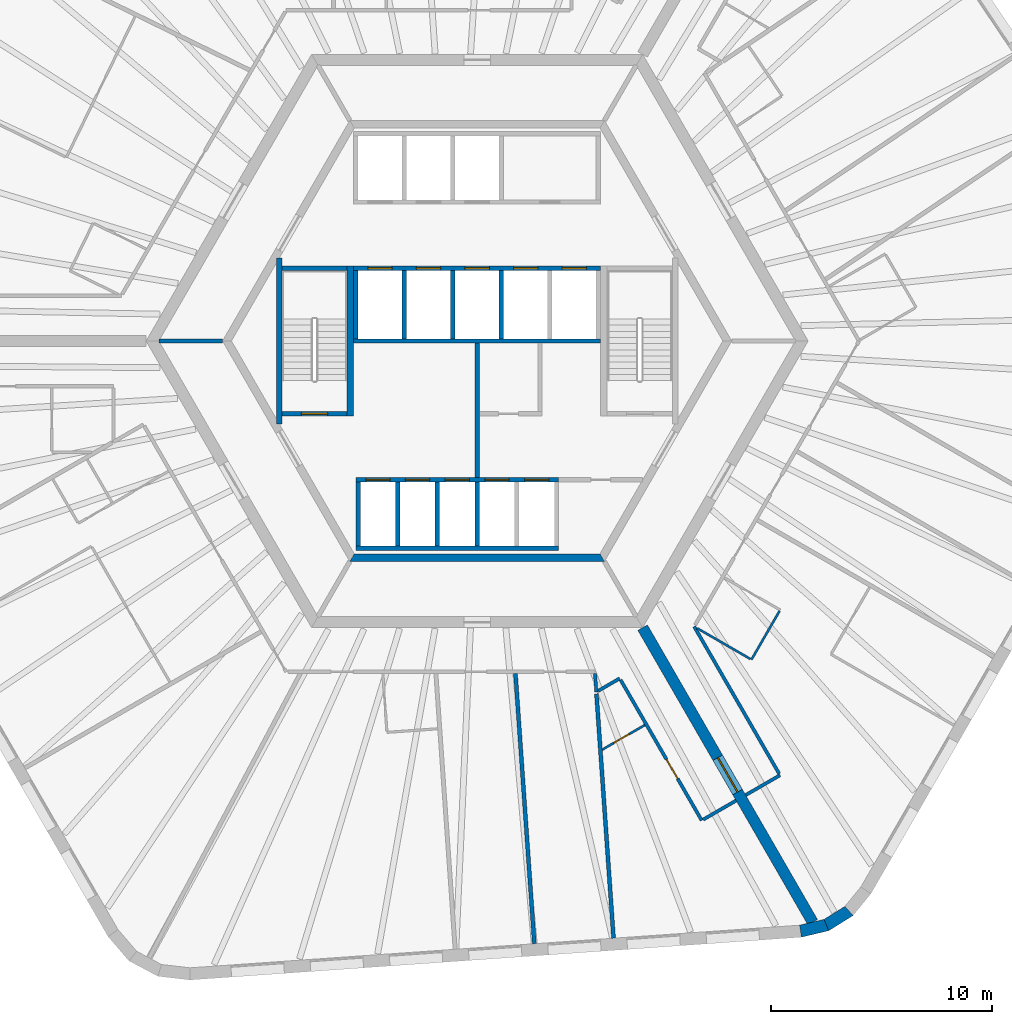
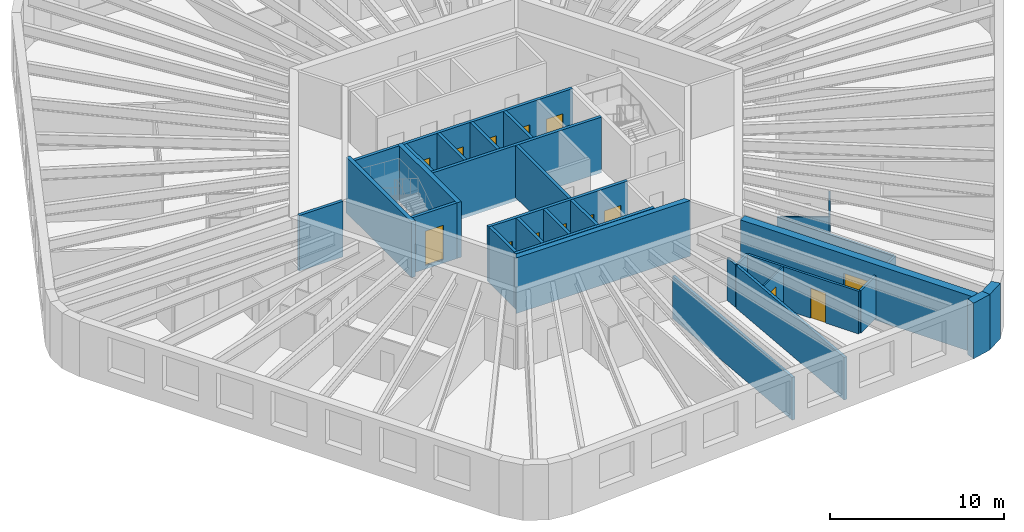
# One storey, part 4 of 10: 33 walls, 14 doors, 14 openings.
"""IFC4 building model written with IfcOpenShell, lengths in metres."""

from ifc_helpers import new_model, si_unit, direction, frame, frame_2d, origin, place, context, subcontext, project, spatial, polyline, rectangle, outline, extrude, material, layer, layer_set, type_object, element, fill, save


model = new_model("IFC4")

# Units and contexts
model_context = context("Model", 3, precision=1e-05, world=origin(), true_north=direction((0.0, 1.0)))
body_context = subcontext(model_context, "Body", "Model", "MODEL_VIEW")
ifc_project = project(units=[si_unit("LENGTHUNIT", "METRE"), si_unit("AREAUNIT", "SQUARE_METRE"), si_unit("VOLUMEUNIT", "CUBIC_METRE"), si_unit("PLANEANGLEUNIT", "RADIAN"), si_unit("MASSUNIT", "GRAM", prefix="KILO")], contexts=[model_context])

# Site, building, storey
site_placement = place(None, origin())
site = spatial("IfcSite", under=ifc_project, at=site_placement, CompositionType="ELEMENT")
building_placement = place(site_placement, origin())
building = spatial("IfcBuilding", under=site, at=building_placement, Name="Tarnside Tower", CompositionType="ELEMENT")
storey_placement = place(building_placement, frame((0.0, 0.0, 199.5)))
storey = spatial("IfcBuildingStorey", under=building, at=storey_placement, Name="L47", CompositionType="ELEMENT", Elevation=199.5)

# Wall, opening, door
ifc_material_1 = material(Name="Gypsum board partition on steel studs", Category="steel")
ifc_layer_1 = layer(ifc_material_1, 0.10009765625)
ifc_layer_set_1 = layer_set([ifc_layer_1], Name="Bathroom wall 100")
wall_type_1 = type_object("IfcWallType", Name="Bathroom wall 100", PredefinedType="PARTITIONING", material=ifc_layer_set_1)
wall_1_placement = place(storey_placement, frame((7.603271484375, -17.419189453125, 0.0), z_axis=(0.0, 0.0, 1.0), x_axis=(-0.866064858854, -0.499931655587, 0.0)))
wall_1 = element("IfcWall", 1, at=wall_1_placement, inside=storey, type_object=wall_type_1, Name="Bathroom wall 15093", PredefinedType="PARTITIONING", context=body_context, shape_type="SweptSolid", body=[
    extrude(rectangle(XDim=2.222412109375, YDim=0.10009765625, at=frame_2d((1.111328125, 0.0))), origin(), (0.0, 0.0, 1.0), 2.98779296875),
])
opening_1_placement = place(wall_1_placement, frame((0.824951171875, 0.0, 0.0)))
opening_1 = element("IfcOpeningElement", 2, at=opening_1_placement, cuts=wall_1, Name="Opening D-B1", PredefinedType="OPENING", context=body_context, shape_type="SweptSolid", body=[
    extrude(rectangle(XDim=0.800048828125, YDim=2.10009765625, at=frame_2d((0.39990234375, 1.050048828125))), frame((0.0, 0.06005859375, 0.0), z_axis=(0.0, -1.0, 0.0), x_axis=(1.0, 0.0, 0.0)), (0.0, 0.0, 1.0), 0.1201171875),
])
ifc_material_2 = material(Name="Timber door leaf", Category="wood")
door_type_1 = type_object("IfcDoorType", Name="Bathroom door 800", OperationType="NOTDEFINED", PredefinedType="DOOR", material=ifc_material_2)
door_1_placement = place(opening_1_placement, origin())
door_1 = element("IfcDoor", 3, at=door_1_placement, inside=storey, type_object=door_type_1, Name="Bathroom door 15024", OperationType="SINGLE_SWING_LEFT", OverallHeight=2.10009765625, OverallWidth=0.800048828125, PredefinedType="DOOR", context=body_context, shape_type="SweptSolid", body=[
    extrude(rectangle(XDim=0.800048828125, YDim=2.10009765625, at=frame_2d((0.39990234375, 1.050048828125))), frame((0.0, 0.02490234375, 0.0), z_axis=(0.0, -1.0, 0.0), x_axis=(1.0, 0.0, 0.0)), (0.0, 0.0, 1.0), 0.050048828125),
])
fill(opening_1, door_1)

# Walls
wall_2_placement = place(storey_placement, frame((13.716796875, -12.24169921875, 0.0), z_axis=(0.0, 0.0, 1.0), x_axis=(-0.499990435942, -0.866030925526, 0.0)))
element("IfcWall", 4, at=wall_2_placement, inside=storey, type_object=wall_type_1, Name="Bathroom wall 15095", PredefinedType="PARTITIONING", context=body_context, shape_type="SweptSolid", body=[
    extrude(rectangle(XDim=2.5498046875, YDim=0.10009765625, at=frame_2d((1.27490234375, 0.0))), origin(), (0.0, 0.0, 1.0), 2.98779296875),
])
wall_3_placement = place(storey_placement, frame((12.398681640625, -14.425048828125, 0.0), z_axis=(0.0, 0.0, 1.0), x_axis=(-0.866018616679, 0.500011755427, 0.0)))
element("IfcWall", 5, at=wall_3_placement, inside=storey, type_object=wall_type_1, Name="Bathroom wall 15096", PredefinedType="PARTITIONING", context=body_context, shape_type="SweptSolid", body=[
    extrude(rectangle(XDim=2.80029296875, YDim=0.10009765625, at=frame_2d((1.400146484375, 0.0))), origin(), (0.0, 0.0, 1.0), 2.98779296875),
])
ifc_material_3 = material(Name="Concrete C50/60", Category="concrete")
ifc_layer_2 = layer(ifc_material_3, 0.35009765625)
ifc_layer_set_2 = layer_set([ifc_layer_2], Name="Core block wall 350 C50/60")
wall_type_2 = type_object("IfcWallType", Name="Core block wall 350 C50/60", PredefinedType="SHEAR", material=ifc_layer_set_2)
wall_4_placement = place(storey_placement, frame((-5.672607421875, -9.824951171875, -0.14990234375), z_axis=(0.0, 0.0, 1.0), x_axis=(1.0, 0.0, 0.0)))
element("IfcWall", 6, at=wall_4_placement, inside=storey, type_object=wall_type_2, Name="L47 core block wall face 4", PredefinedType="SHEAR", context=body_context, shape_type="SweptSolid", body=[
    extrude(outline(polyline([(-0.10107421875, -0.175048828125), (11.4462890625, -0.175048828125), (11.244140625, 0.175048828125), (0.10107421875, 0.175048828125), (-0.10107421875, -0.175048828125)])), origin(), (0.0, 0.0, 1.0), 3.89990234375),
])
ifc_material_4 = material(Name="Concrete C40/50", Category="concrete")
ifc_layer_3 = layer(ifc_material_4, 0.199951171875)
ifc_layer_set_3 = layer_set([ifc_layer_3], Name="Core room partition 200 C40/50")
wall_type_3 = type_object("IfcWallType", Name="Core room partition 200 C40/50", PredefinedType="PARTITIONING", material=ifc_layer_set_3)
wall_5_placement = place(storey_placement, frame((0.0, -6.199951171875, 0.0), z_axis=(0.0, 0.0, 1.0), x_axis=(0.0, 1.0, 0.0)))
element("IfcWall", 7, at=wall_5_placement, inside=storey, type_object=wall_type_3, Name="L47 core partition X0", PredefinedType="PARTITIONING", context=body_context, shape_type="SweptSolid", body=[
    extrude(rectangle(XDim=6.099853515625, YDim=0.199951171875, at=frame_2d((3.0498046875, 0.0))), origin(), (0.0, 0.0, 1.0), 3.64990234375),
])

# Wall, opening, door
ifc_material_5 = material(Name="Concrete C70/85", Category="concrete")
ifc_layer_4 = layer(ifc_material_5, 0.5)
ifc_layer_set_4 = layer_set([ifc_layer_4], Name="Core wall Z2 500 C70/85")
wall_type_4 = type_object("IfcWallType", Name="Core wall Z2 500 C70/85", PredefinedType="SHEAR", material=ifc_layer_set_4)
wall_6_placement = place(storey_placement, frame((7.505615234375, -13.0, -0.14990234375), z_axis=(0.0, 0.0, 1.0), x_axis=(0.499988271576, -0.866032175087, 0.0)))
wall_6 = element("IfcWall", 8, at=wall_6_placement, inside=storey, type_object=wall_type_4, Name="L47 spine wall 3", PredefinedType="SHEAR", context=body_context, shape_type="SweptSolid", body=[
    extrude(rectangle(XDim=15.423583984375, YDim=0.5, at=frame_2d((7.7119140625, 0.0))), origin(), (0.0, 0.0, 1.0), 3.89990234375),
])
opening_2_placement = place(wall_6_placement, frame((6.811767578125, 0.0, 0.14990234375)))
opening_2 = element("IfcOpeningElement", 9, at=opening_2_placement, cuts=wall_6, Name="Opening CD-SPN", PredefinedType="OPENING", context=body_context, shape_type="SweptSolid", body=[
    extrude(rectangle(XDim=1.800048828125, YDim=2.39990234375, at=frame_2d((0.89990234375, 1.199951171875))), frame((0.0, 0.260009765625, 0.0), z_axis=(0.0, -1.0, 0.0), x_axis=(1.0, 0.0, 0.0)), (0.0, 0.0, 1.0), 0.52001953125),
])
ifc_material_6 = material(Name="Steel fire door", Category="steel")
door_type_2 = type_object("IfcDoorType", Name="Spine passage double door FD60 1800x2400", OperationType="NOTDEFINED", PredefinedType="DOOR", material=ifc_material_6)
door_2_placement = place(opening_2_placement, origin())
door_2 = element("IfcDoor", 10, at=door_2_placement, inside=storey, type_object=door_type_2, Name="L47 spine passage door 3", OperationType="DOUBLE_DOOR_SINGLE_SWING", OverallHeight=2.39990234375, OverallWidth=1.800048828125, PredefinedType="DOOR", context=body_context, shape_type="SweptSolid", body=[
    extrude(rectangle(XDim=1.800048828125, YDim=2.39990234375, at=frame_2d((0.89990234375, 1.199951171875))), frame((0.0, 0.02490234375, 0.0), z_axis=(0.0, -1.0, 0.0), x_axis=(1.0, 0.0, 0.0)), (0.0, 0.0, 1.0), 0.050048828125),
])
fill(opening_2, door_2)

# Wall
ifc_layer_5 = layer(ifc_material_1, 0.14990234375)
ifc_layer_set_5 = layer_set([ifc_layer_5], Name="Corridor wall 150 EI 60")
wall_type_5 = type_object("IfcWallType", Name="Corridor wall 150 EI 60", PredefinedType="PARTITIONING", material=ifc_layer_set_5)
wall_7_placement = place(storey_placement, frame((5.3466796875, -15.074951171875, 0.0), z_axis=(0.0, 0.0, 1.0), x_axis=(0.069751684831, -0.997564385122, 0.0)))
element("IfcWall", 11, at=wall_7_placement, inside=storey, type_object=wall_type_5, Name="Corridor wall 15028", PredefinedType="PARTITIONING", context=body_context, shape_type="SweptSolid", body=[
    extrude(rectangle(XDim=0.846923828125, YDim=0.14990234375, at=frame_2d((0.42333984375, 0.0))), origin(), (0.0, 0.0, 1.0), 2.98779296875),
])

# Wall, opening, door
wall_8_placement = place(storey_placement, frame((6.505615234375, -15.3681640625, 0.0), z_axis=(0.0, 0.0, 1.0), x_axis=(0.499995202058, -0.86602817386, 0.0)))
wall_8 = element("IfcWall", 12, at=wall_8_placement, inside=storey, type_object=wall_type_5, Name="Corridor wall 15029", PredefinedType="PARTITIONING", context=body_context, shape_type="SweptSolid", body=[
    extrude(rectangle(XDim=7.36083984375, YDim=0.14990234375, at=frame_2d((3.680419921875, 0.0))), origin(), (0.0, 0.0, 1.0), 2.98779296875),
])
opening_3_placement = place(wall_8_placement, frame((4.16796875, 0.0, 0.0)))
opening_3 = element("IfcOpeningElement", 13, at=opening_3_placement, cuts=wall_8, Name="Opening D-E1", PredefinedType="OPENING", context=body_context, shape_type="SweptSolid", body=[
    extrude(rectangle(XDim=1.0, YDim=2.10009765625, at=frame_2d((0.5, 1.050048828125))), frame((0.0, 0.0849609375, 0.0), z_axis=(0.0, -1.0, 0.0), x_axis=(1.0, 0.0, 0.0)), (0.0, 0.0, 1.0), 0.169921875),
])
door_type_3 = type_object("IfcDoorType", Name="Unit entrance door 1000 FD30S", OperationType="NOTDEFINED", PredefinedType="DOOR", material=ifc_material_2)
door_3_placement = place(opening_3_placement, origin())
door_3 = element("IfcDoor", 14, at=door_3_placement, inside=storey, type_object=door_type_3, Name="Unit door 15023", OperationType="SINGLE_SWING_RIGHT", OverallHeight=2.10009765625, OverallWidth=1.0, PredefinedType="DOOR", context=body_context, shape_type="SweptSolid", body=[
    extrude(rectangle(XDim=1.0, YDim=2.10009765625, at=frame_2d((0.5, 1.050048828125))), frame((0.0, 0.02490234375, 0.0), z_axis=(0.0, -1.0, 0.0), x_axis=(1.0, 0.0, 0.0)), (0.0, 0.0, 1.0), 0.050048828125),
])
fill(opening_3, door_3)

# Walls
wall_9_placement = place(storey_placement, frame((10.2509765625, -21.705322265625, 0.0), z_axis=(0.0, 0.0, 1.0), x_axis=(0.866013532718, 0.500020560727, 0.0)))
element("IfcWall", 15, at=wall_9_placement, inside=storey, type_object=wall_type_5, Name="Corridor wall 15030", PredefinedType="PARTITIONING", context=body_context, shape_type="SweptSolid", body=[
    extrude(rectangle(XDim=1.72509765625, YDim=0.14990234375, at=frame_2d((0.862548828125, 0.0))), origin(), (0.0, 0.0, 1.0), 2.98779296875),
])
wall_10_placement = place(storey_placement, frame((5.477783203125, -15.875, 0.0), z_axis=(0.0, 0.0, 1.0), x_axis=(0.866000689289, 0.500042804318, 0.0)))
element("IfcWall", 16, at=wall_10_placement, inside=storey, type_object=wall_type_5, Name="Corridor wall 15031", PredefinedType="PARTITIONING", context=body_context, shape_type="SweptSolid", body=[
    extrude(rectangle(XDim=1.1435546875, YDim=0.14990234375, at=frame_2d((0.57177734375, 0.0))), origin(), (0.0, 0.0, 1.0), 2.98779296875),
])
wall_11_placement = place(storey_placement, frame((12.177978515625, -20.5927734375, 0.0), z_axis=(0.0, 0.0, 1.0), x_axis=(0.866047807691, 0.499961193289, 0.0)))
element("IfcWall", 17, at=wall_11_placement, inside=storey, type_object=wall_type_5, Name="Corridor wall 15033", PredefinedType="PARTITIONING", context=body_context, shape_type="SweptSolid", body=[
    extrude(rectangle(XDim=1.800048828125, YDim=0.14990234375, at=frame_2d((0.89990234375, 0.0))), origin(), (0.0, 0.0, 1.0), 2.98779296875),
])
wall_12_placement = place(storey_placement, frame((13.69921875, -19.6279296875, 0.0), z_axis=(0.0, 0.0, 1.0), x_axis=(-0.499993780622, 0.866028994514, 0.0)))
element("IfcWall", 18, at=wall_12_placement, inside=storey, type_object=wall_type_5, Name="Corridor wall 15034", PredefinedType="PARTITIONING", context=body_context, shape_type="SweptSolid", body=[
    extrude(rectangle(XDim=7.7109375, YDim=0.14990234375, at=frame_2d((3.85546875, 0.0))), origin(), (0.0, 0.0, 1.0), 2.98779296875),
])
ifc_layer_6 = layer(ifc_material_1, 0.179931640625)
ifc_layer_set_6 = layer_set([ifc_layer_6], Name="Demising wall 180 EI 60")
wall_type_6 = type_object("IfcWallType", Name="Demising wall 180 EI 60", PredefinedType="PARTITIONING", material=ifc_layer_set_6)
wall_13_placement = place(storey_placement, frame((2.59521484375, -27.33544921875, 0.0), z_axis=(0.0, 0.0, 1.0), x_axis=(-0.069763302087, 0.997563572752, 0.0)))
element("IfcWall", 19, at=wall_13_placement, inside=storey, type_object=wall_type_6, Name="Demising wall 15090", PredefinedType="PARTITIONING", context=body_context, shape_type="SweptSolid", body=[
    extrude(rectangle(XDim=12.29052734375, YDim=0.179931640625, at=frame_2d((6.145263671875, 0.0))), origin(), (0.0, 0.0, 1.0), 2.98779296875),
])
wall_14_placement = place(storey_placement, frame((6.1865234375, -27.08447265625, 0.0), z_axis=(0.0, 0.0, 1.0), x_axis=(-0.069758943489, 0.997563877555, 0.0)))
element("IfcWall", 20, at=wall_14_placement, inside=storey, type_object=wall_type_6, Name="Demising wall 15091", PredefinedType="PARTITIONING", context=body_context, shape_type="SweptSolid", body=[
    extrude(rectangle(XDim=11.11181640625, YDim=0.179931640625, at=frame_2d((5.555908203125, 0.0))), origin(), (0.0, 0.0, 1.0), 2.98779296875),
])

# Wall, openings, doors
ifc_layer_7 = layer(ifc_material_4, 0.199951171875)
ifc_layer_set_7 = layer_set([ifc_layer_7], Name="Lift shaft wall 200 C40/50")
wall_type_7 = type_object("IfcWallType", Name="Lift shaft wall 200 C40/50", PredefinedType="SHEAR", material=ifc_layer_set_7)
wall_15_placement = place(storey_placement, frame((-5.60009765625, 3.300048828125, -0.25), z_axis=(0.0, 0.0, 1.0), x_axis=(1.0, 0.0, 0.0)))
wall_15 = element("IfcWall", 21, at=wall_15_placement, inside=storey, type_object=wall_type_7, Name="L47 lift shaft front wall R2", PredefinedType="SHEAR", context=body_context, shape_type="SweptSolid", body=[
    extrude(rectangle(XDim=11.2001953125, YDim=0.199951171875, at=frame_2d((5.60009765625, 0.0))), origin(), (0.0, 0.0, 1.0), 3.89990234375),
])
opening_4_placement = place(wall_15_placement, frame((0.64990234375, 0.0, 0.25)))
opening_4 = element("IfcOpeningElement", 22, at=opening_4_placement, cuts=wall_15, Name="Opening LD", PredefinedType="OPENING", context=body_context, shape_type="SweptSolid", body=[
    extrude(rectangle(XDim=1.10009765625, YDim=2.10009765625, at=frame_2d((0.550048828125, 1.050048828125))), frame((0.0, 0.10986328125, 0.0), z_axis=(0.0, -1.0, 0.0), x_axis=(1.0, 0.0, 0.0)), (0.0, 0.0, 1.0), 0.219970703125),
])
opening_5_placement = place(wall_15_placement, frame((2.85009765625, 0.0, 0.25)))
opening_5 = element("IfcOpeningElement", 23, at=opening_5_placement, cuts=wall_15, Name="Opening LD", PredefinedType="OPENING", context=body_context, shape_type="SweptSolid", body=[
    extrude(rectangle(XDim=1.10009765625, YDim=2.10009765625, at=frame_2d((0.550048828125, 1.050048828125))), frame((0.0, 0.10986328125, 0.0), z_axis=(0.0, -1.0, 0.0), x_axis=(1.0, 0.0, 0.0)), (0.0, 0.0, 1.0), 0.219970703125),
])
opening_6_placement = place(wall_15_placement, frame((5.050048828125, 0.0, 0.25)))
opening_6 = element("IfcOpeningElement", 24, at=opening_6_placement, cuts=wall_15, Name="Opening LD", PredefinedType="OPENING", context=body_context, shape_type="SweptSolid", body=[
    extrude(rectangle(XDim=1.10009765625, YDim=2.10009765625, at=frame_2d((0.550048828125, 1.050048828125))), frame((0.0, 0.10986328125, 0.0), z_axis=(0.0, -1.0, 0.0), x_axis=(1.0, 0.0, 0.0)), (0.0, 0.0, 1.0), 0.219970703125),
])
opening_7_placement = place(wall_15_placement, frame((7.25, 0.0, 0.25)))
opening_7 = element("IfcOpeningElement", 25, at=opening_7_placement, cuts=wall_15, Name="Opening LD", PredefinedType="OPENING", context=body_context, shape_type="SweptSolid", body=[
    extrude(rectangle(XDim=1.10009765625, YDim=2.10009765625, at=frame_2d((0.550048828125, 1.050048828125))), frame((0.0, 0.10986328125, 0.0), z_axis=(0.0, -1.0, 0.0), x_axis=(1.0, 0.0, 0.0)), (0.0, 0.0, 1.0), 0.219970703125),
])
opening_8_placement = place(wall_15_placement, frame((9.449951171875, 0.0, 0.25)))
opening_8 = element("IfcOpeningElement", 26, at=opening_8_placement, cuts=wall_15, Name="Opening LD", PredefinedType="OPENING", context=body_context, shape_type="SweptSolid", body=[
    extrude(rectangle(XDim=1.10009765625, YDim=2.10009765625, at=frame_2d((0.550048828125, 1.050048828125))), frame((0.0, 0.10986328125, 0.0), z_axis=(0.0, -1.0, 0.0), x_axis=(1.0, 0.0, 0.0)), (0.0, 0.0, 1.0), 0.219970703125),
])
ifc_material_7 = material(Name="Stainless steel", Category="steel")
door_type_4 = type_object("IfcDoorType", Name="Lift landing door 1100x2100", OperationType="NOTDEFINED", PredefinedType="DOOR", material=ifc_material_7)
door_4_placement = place(opening_4_placement, origin())
door_4 = element("IfcDoor", 27, at=door_4_placement, inside=storey, type_object=door_type_4, Name="Mid-rise lift 4 landing door L47", OperationType="SLIDING_TO_LEFT", OverallHeight=2.10009765625, OverallWidth=1.10009765625, PredefinedType="DOOR", context=body_context, shape_type="SweptSolid", body=[
    extrude(rectangle(XDim=1.10009765625, YDim=2.10009765625, at=frame_2d((0.550048828125, 1.050048828125))), frame((0.0, 0.02490234375, 0.0), z_axis=(0.0, -1.0, 0.0), x_axis=(1.0, 0.0, 0.0)), (0.0, 0.0, 1.0), 0.050048828125),
])
fill(opening_4, door_4)
door_5_placement = place(opening_5_placement, origin())
door_5 = element("IfcDoor", 28, at=door_5_placement, inside=storey, type_object=door_type_4, Name="Mid-rise lift 5 landing door L47", OperationType="SLIDING_TO_LEFT", OverallHeight=2.10009765625, OverallWidth=1.10009765625, PredefinedType="DOOR", context=body_context, shape_type="SweptSolid", body=[
    extrude(rectangle(XDim=1.10009765625, YDim=2.10009765625, at=frame_2d((0.550048828125, 1.050048828125))), frame((0.0, 0.02490234375, 0.0), z_axis=(0.0, -1.0, 0.0), x_axis=(1.0, 0.0, 0.0)), (0.0, 0.0, 1.0), 0.050048828125),
])
fill(opening_5, door_5)
door_6_placement = place(opening_6_placement, origin())
door_6 = element("IfcDoor", 29, at=door_6_placement, inside=storey, type_object=door_type_4, Name="Mid-rise lift 6 landing door L47", OperationType="SLIDING_TO_LEFT", OverallHeight=2.10009765625, OverallWidth=1.10009765625, PredefinedType="DOOR", context=body_context, shape_type="SweptSolid", body=[
    extrude(rectangle(XDim=1.10009765625, YDim=2.10009765625, at=frame_2d((0.550048828125, 1.050048828125))), frame((0.0, 0.02490234375, 0.0), z_axis=(0.0, -1.0, 0.0), x_axis=(1.0, 0.0, 0.0)), (0.0, 0.0, 1.0), 0.050048828125),
])
fill(opening_6, door_6)
door_7_placement = place(opening_7_placement, origin())
door_7 = element("IfcDoor", 30, at=door_7_placement, inside=storey, type_object=door_type_4, Name="High sky-lobby shuttle 1 landing door L47", OperationType="SLIDING_TO_LEFT", OverallHeight=2.10009765625, OverallWidth=1.10009765625, PredefinedType="DOOR", context=body_context, shape_type="SweptSolid", body=[
    extrude(rectangle(XDim=1.10009765625, YDim=2.10009765625, at=frame_2d((0.550048828125, 1.050048828125))), frame((0.0, 0.02490234375, 0.0), z_axis=(0.0, -1.0, 0.0), x_axis=(1.0, 0.0, 0.0)), (0.0, 0.0, 1.0), 0.050048828125),
])
fill(opening_7, door_7)
door_8_placement = place(opening_8_placement, origin())
door_8 = element("IfcDoor", 31, at=door_8_placement, inside=storey, type_object=door_type_4, Name="Express sky-lobby shuttle 2 landing door L47", OperationType="SLIDING_TO_LEFT", OverallHeight=2.10009765625, OverallWidth=1.10009765625, PredefinedType="DOOR", context=body_context, shape_type="SweptSolid", body=[
    extrude(rectangle(XDim=1.10009765625, YDim=2.10009765625, at=frame_2d((0.550048828125, 1.050048828125))), frame((0.0, 0.02490234375, 0.0), z_axis=(0.0, -1.0, 0.0), x_axis=(1.0, 0.0, 0.0)), (0.0, 0.0, 1.0), 0.050048828125),
])
fill(opening_8, door_8)

# Walls
wall_16_placement = place(storey_placement, frame((-5.60009765625, 0.0, -0.25), z_axis=(0.0, 0.0, 1.0), x_axis=(1.0, 0.0, 0.0)))
element("IfcWall", 32, at=wall_16_placement, inside=storey, type_object=wall_type_7, Name="L47 lift shaft back wall R2", PredefinedType="SHEAR", context=body_context, shape_type="SweptSolid", body=[
    extrude(rectangle(XDim=11.2001953125, YDim=0.199951171875, at=frame_2d((5.60009765625, 0.0))), origin(), (0.0, 0.0, 1.0), 3.89990234375),
])
for number, where, z_axis, x_axis, name in (
    (33, (-5.5, 0.10009765625, -0.25), (0.0, 0.0, 1.0), (0.0, 1.0, 0.0), "L47 lift shaft partition R21"),
    (34, (-3.300048828125, 0.10009765625, -0.25), (0.0, 0.0, 1.0), (0.0, 1.0, 0.0), "L47 lift shaft partition R22"),
    (35, (-1.10009765625, 0.10009765625, -0.25), (0.0, 0.0, 1.0), (0.0, 1.0, 0.0), "L47 lift shaft partition R23"),
    (36, (1.10009765625, 0.10009765625, -0.25), (0.0, 0.0, 1.0), (0.0, 1.0, 0.0), "L47 lift shaft partition R24"),
):
    element("IfcWall", number, at=place(storey_placement, frame(where, z_axis=z_axis, x_axis=x_axis)), inside=storey, type_object=wall_type_7, Name=name, PredefinedType="SHEAR", context=body_context, shape_type="SweptSolid", body=[
        extrude(rectangle(XDim=3.099853515625, YDim=0.199951171875, at=frame_2d((1.5498046875, 0.0))), origin(), (0.0, 0.0, 1.0), 3.89990234375),
    ])

# Wall, openings, doors
wall_17_placement = place(storey_placement, frame((-5.5, -6.300048828125, -0.25), z_axis=(0.0, 0.0, 1.0), x_axis=(1.0, 0.0, 0.0)))
wall_17 = element("IfcWall", 37, at=wall_17_placement, inside=storey, type_object=wall_type_7, Name="L47 lift shaft front wall R4", PredefinedType="SHEAR", context=body_context, shape_type="SweptSolid", body=[
    extrude(rectangle(XDim=9.199951171875, YDim=0.199951171875, at=frame_2d((4.60009765625, 0.0))), origin(), (0.0, 0.0, 1.0), 3.89990234375),
])
opening_9_placement = place(wall_17_placement, frame((0.449951171875, 0.0, 0.25)))
opening_9 = element("IfcOpeningElement", 38, at=opening_9_placement, cuts=wall_17, Name="Opening LDF", PredefinedType="OPENING", context=body_context, shape_type="SweptSolid", body=[
    extrude(rectangle(XDim=1.10009765625, YDim=2.10009765625, at=frame_2d((0.550048828125, 1.050048828125))), frame((0.0, 0.10986328125, 0.0), z_axis=(0.0, -1.0, 0.0), x_axis=(1.0, 0.0, 0.0)), (0.0, 0.0, 1.0), 0.219970703125),
])
opening_10_placement = place(wall_17_placement, frame((2.25, 0.0, 0.25)))
opening_10 = element("IfcOpeningElement", 39, at=opening_10_placement, cuts=wall_17, Name="Opening LDF", PredefinedType="OPENING", context=body_context, shape_type="SweptSolid", body=[
    extrude(rectangle(XDim=1.10009765625, YDim=2.10009765625, at=frame_2d((0.550048828125, 1.050048828125))), frame((0.0, 0.10986328125, 0.0), z_axis=(0.0, -1.0, 0.0), x_axis=(1.0, 0.0, 0.0)), (0.0, 0.0, 1.0), 0.219970703125),
])
opening_11_placement = place(wall_17_placement, frame((4.050048828125, 0.0, 0.25)))
opening_11 = element("IfcOpeningElement", 40, at=opening_11_placement, cuts=wall_17, Name="Opening LDF", PredefinedType="OPENING", context=body_context, shape_type="SweptSolid", body=[
    extrude(rectangle(XDim=1.10009765625, YDim=2.10009765625, at=frame_2d((0.550048828125, 1.050048828125))), frame((0.0, 0.10986328125, 0.0), z_axis=(0.0, -1.0, 0.0), x_axis=(1.0, 0.0, 0.0)), (0.0, 0.0, 1.0), 0.219970703125),
])
opening_12_placement = place(wall_17_placement, frame((5.85009765625, 0.0, 0.25)))
opening_12 = element("IfcOpeningElement", 41, at=opening_12_placement, cuts=wall_17, Name="Opening LDF", PredefinedType="OPENING", context=body_context, shape_type="SweptSolid", body=[
    extrude(rectangle(XDim=1.10009765625, YDim=2.10009765625, at=frame_2d((0.550048828125, 1.050048828125))), frame((0.0, 0.10986328125, 0.0), z_axis=(0.0, -1.0, 0.0), x_axis=(1.0, 0.0, 0.0)), (0.0, 0.0, 1.0), 0.219970703125),
])
opening_13_placement = place(wall_17_placement, frame((7.64990234375, 0.0, 0.25)))
opening_13 = element("IfcOpeningElement", 42, at=opening_13_placement, cuts=wall_17, Name="Opening LDF", PredefinedType="OPENING", context=body_context, shape_type="SweptSolid", body=[
    extrude(rectangle(XDim=1.10009765625, YDim=2.10009765625, at=frame_2d((0.550048828125, 1.050048828125))), frame((0.0, 0.10986328125, 0.0), z_axis=(0.0, -1.0, 0.0), x_axis=(1.0, 0.0, 0.0)), (0.0, 0.0, 1.0), 0.219970703125),
])
door_type_5 = type_object("IfcDoorType", Name="Lift landing door 1100x2100 EI 120", OperationType="NOTDEFINED", PredefinedType="DOOR", material=ifc_material_7)
door_9_placement = place(opening_9_placement, origin())
door_9 = element("IfcDoor", 43, at=door_9_placement, inside=storey, type_object=door_type_5, Name="Firefighting lift 1 landing door L47", OperationType="SLIDING_TO_LEFT", OverallHeight=2.10009765625, OverallWidth=1.10009765625, PredefinedType="DOOR", context=body_context, shape_type="SweptSolid", body=[
    extrude(rectangle(XDim=1.10009765625, YDim=2.10009765625, at=frame_2d((0.550048828125, 1.050048828125))), frame((0.0, 0.02490234375, 0.0), z_axis=(0.0, -1.0, 0.0), x_axis=(1.0, 0.0, 0.0)), (0.0, 0.0, 1.0), 0.050048828125),
])
fill(opening_9, door_9)
door_10_placement = place(opening_10_placement, origin())
door_10 = element("IfcDoor", 44, at=door_10_placement, inside=storey, type_object=door_type_5, Name="Firefighting lift 2 landing door L47", OperationType="SLIDING_TO_LEFT", OverallHeight=2.10009765625, OverallWidth=1.10009765625, PredefinedType="DOOR", context=body_context, shape_type="SweptSolid", body=[
    extrude(rectangle(XDim=1.10009765625, YDim=2.10009765625, at=frame_2d((0.550048828125, 1.050048828125))), frame((0.0, 0.02490234375, 0.0), z_axis=(0.0, -1.0, 0.0), x_axis=(1.0, 0.0, 0.0)), (0.0, 0.0, 1.0), 0.050048828125),
])
fill(opening_10, door_10)
door_11_placement = place(opening_11_placement, origin())
door_11 = element("IfcDoor", 45, at=door_11_placement, inside=storey, type_object=door_type_5, Name="Firefighting lift 3 landing door L47", OperationType="SLIDING_TO_LEFT", OverallHeight=2.10009765625, OverallWidth=1.10009765625, PredefinedType="DOOR", context=body_context, shape_type="SweptSolid", body=[
    extrude(rectangle(XDim=1.10009765625, YDim=2.10009765625, at=frame_2d((0.550048828125, 1.050048828125))), frame((0.0, 0.02490234375, 0.0), z_axis=(0.0, -1.0, 0.0), x_axis=(1.0, 0.0, 0.0)), (0.0, 0.0, 1.0), 0.050048828125),
])
fill(opening_11, door_11)
door_12_placement = place(opening_12_placement, origin())
door_12 = element("IfcDoor", 46, at=door_12_placement, inside=storey, type_object=door_type_5, Name="Firefighting lift 4 landing door L47", OperationType="SLIDING_TO_LEFT", OverallHeight=2.10009765625, OverallWidth=1.10009765625, PredefinedType="DOOR", context=body_context, shape_type="SweptSolid", body=[
    extrude(rectangle(XDim=1.10009765625, YDim=2.10009765625, at=frame_2d((0.550048828125, 1.050048828125))), frame((0.0, 0.02490234375, 0.0), z_axis=(0.0, -1.0, 0.0), x_axis=(1.0, 0.0, 0.0)), (0.0, 0.0, 1.0), 0.050048828125),
])
fill(opening_12, door_12)
door_13_placement = place(opening_13_placement, origin())
door_13 = element("IfcDoor", 47, at=door_13_placement, inside=storey, type_object=door_type_5, Name="Firefighting lift 5 landing door L47", OperationType="SLIDING_TO_LEFT", OverallHeight=2.10009765625, OverallWidth=1.10009765625, PredefinedType="DOOR", context=body_context, shape_type="SweptSolid", body=[
    extrude(rectangle(XDim=1.10009765625, YDim=2.10009765625, at=frame_2d((0.550048828125, 1.050048828125))), frame((0.0, 0.02490234375, 0.0), z_axis=(0.0, -1.0, 0.0), x_axis=(1.0, 0.0, 0.0)), (0.0, 0.0, 1.0), 0.050048828125),
])
fill(opening_13, door_13)

# Walls
wall_18_placement = place(storey_placement, frame((-5.5, -9.39990234375, -0.25), z_axis=(0.0, 0.0, 1.0), x_axis=(1.0, 0.0, 0.0)))
element("IfcWall", 48, at=wall_18_placement, inside=storey, type_object=wall_type_7, Name="L47 lift shaft back wall R4", PredefinedType="SHEAR", context=body_context, shape_type="SweptSolid", body=[
    extrude(rectangle(XDim=9.199951171875, YDim=0.199951171875, at=frame_2d((4.60009765625, 0.0))), origin(), (0.0, 0.0, 1.0), 3.89990234375),
])
for number, where, z_axis, x_axis, name in (
    (49, (-5.39990234375, -9.300048828125, -0.25), (0.0, 0.0, 1.0), (0.0, 1.0, 0.0), "L47 lift shaft partition R41"),
    (50, (-3.60009765625, -9.300048828125, -0.25), (0.0, 0.0, 1.0), (0.0, 1.0, 0.0), "L47 lift shaft partition R42"),
    (51, (-1.800048828125, -9.300048828125, -0.25), (0.0, 0.0, 1.0), (0.0, 1.0, 0.0), "L47 lift shaft partition R43"),
    (52, (0.0, -9.300048828125, -0.25), (0.0, 0.0, 1.0), (0.0, 1.0, 0.0), "L47 lift shaft partition R44"),
):
    element("IfcWall", number, at=place(storey_placement, frame(where, z_axis=z_axis, x_axis=x_axis)), inside=storey, type_object=wall_type_7, Name=name, PredefinedType="SHEAR", context=body_context, shape_type="SweptSolid", body=[
        extrude(rectangle(XDim=2.900146484375, YDim=0.199951171875, at=frame_2d((1.4501953125, 0.0))), origin(), (0.0, 0.0, 1.0), 3.89990234375),
    ])
wall_19_placement = place(storey_placement, frame((-11.547119140625, 0.0, -0.14990234375), z_axis=(0.0, 0.0, 1.0), x_axis=(-1.0, 0.0, 0.0)))
element("IfcWall", 53, at=wall_19_placement, inside=storey, type_object=wall_type_7, Name="L47 core partition AR180", PredefinedType="SHEAR", context=body_context, shape_type="SweptSolid", body=[
    extrude(rectangle(XDim=2.88671875, YDim=0.199951171875, at=frame_2d((1.443359375, 0.0))), origin(), (0.0, 0.0, 1.0), 3.89990234375),
])
wall_20_placement = place(storey_placement, frame((-8.85009765625, 3.300048828125, -0.25), z_axis=(0.0, 0.0, 1.0), x_axis=(1.0, 0.0, 0.0)))
element("IfcWall", 54, at=wall_20_placement, inside=storey, type_object=wall_type_7, Name="L47 stair 2 enclosure cap wall n", PredefinedType="SHEAR", context=body_context, shape_type="SweptSolid", body=[
    extrude(rectangle(XDim=2.9501953125, YDim=0.199951171875, at=frame_2d((1.47509765625, 0.0))), origin(), (0.0, 0.0, 1.0), 3.89990234375),
])

# Wall, opening, door
wall_21_placement = place(storey_placement, frame((-8.85009765625, -3.300048828125, -0.25), z_axis=(0.0, 0.0, 1.0), x_axis=(1.0, 0.0, 0.0)))
wall_21 = element("IfcWall", 55, at=wall_21_placement, inside=storey, type_object=wall_type_7, Name="L47 stair 2 enclosure cap wall s", PredefinedType="SHEAR", context=body_context, shape_type="SweptSolid", body=[
    extrude(rectangle(XDim=2.9501953125, YDim=0.199951171875, at=frame_2d((1.47509765625, 0.0))), origin(), (0.0, 0.0, 1.0), 3.89990234375),
])
opening_14_placement = place(wall_21_placement, frame((0.875, 0.0, 0.25)))
opening_14 = element("IfcOpeningElement", 56, at=opening_14_placement, cuts=wall_21, Name="Opening CD-STR", PredefinedType="OPENING", context=body_context, shape_type="SweptSolid", body=[
    extrude(rectangle(XDim=1.199951171875, YDim=2.39990234375, at=frame_2d((0.60009765625, 1.199951171875))), frame((0.0, 0.10986328125, 0.0), z_axis=(0.0, -1.0, 0.0), x_axis=(1.0, 0.0, 0.0)), (0.0, 0.0, 1.0), 0.219970703125),
])
door_type_6 = type_object("IfcDoorType", Name="Stair door FD60S 1200x2400", OperationType="NOTDEFINED", PredefinedType="DOOR", material=ifc_material_6)
door_14_placement = place(opening_14_placement, origin())
door_14 = element("IfcDoor", 57, at=door_14_placement, inside=storey, type_object=door_type_6, Name="L47 stair 2 door", OperationType="SINGLE_SWING_LEFT", OverallHeight=2.39990234375, OverallWidth=1.199951171875, PredefinedType="DOOR", context=body_context, shape_type="SweptSolid", body=[
    extrude(rectangle(XDim=1.199951171875, YDim=2.39990234375, at=frame_2d((0.60009765625, 1.199951171875))), frame((0.0, 0.02490234375, 0.0), z_axis=(0.0, -1.0, 0.0), x_axis=(1.0, 0.0, 0.0)), (0.0, 0.0, 1.0), 0.050048828125),
])
fill(opening_14, door_14)

# Walls
ifc_layer_8 = layer(ifc_material_4, 0.25)
ifc_layer_set_8 = layer_set([ifc_layer_8], Name="Stair enclosure wall 250 C40/50")
wall_type_8 = type_object("IfcWallType", Name="Stair enclosure wall 250 C40/50", PredefinedType="SHEAR", material=ifc_layer_set_8)
wall_22_placement = place(storey_placement, frame((-8.97509765625, -3.7548828125, -0.25), z_axis=(0.0, 0.0, 1.0), x_axis=(0.0, 1.0, 0.0)))
element("IfcWall", 58, at=wall_22_placement, inside=storey, type_object=wall_type_8, Name="L47 stair 2 enclosure wall outer", PredefinedType="SHEAR", context=body_context, shape_type="SweptSolid", body=[
    extrude(rectangle(XDim=7.509765625, YDim=0.25, at=frame_2d((3.7548828125, 0.0))), origin(), (0.0, 0.0, 1.0), 3.89990234375),
])
ifc_layer_9 = layer(ifc_material_4, 0.300048828125)
ifc_layer_set_9 = layer_set([ifc_layer_9], Name="Stair enclosure wall 300 C40/50")
wall_type_9 = type_object("IfcWallType", Name="Stair enclosure wall 300 C40/50", PredefinedType="SHEAR", material=ifc_layer_set_9)
wall_23_placement = place(storey_placement, frame((-5.75, -3.39990234375, -0.25), z_axis=(0.0, 0.0, 1.0), x_axis=(0.0, 1.0, 0.0)))
element("IfcWall", 59, at=wall_23_placement, inside=storey, type_object=wall_type_9, Name="L47 stair 2 enclosure wall inner", PredefinedType="SHEAR", context=body_context, shape_type="SweptSolid", body=[
    extrude(rectangle(XDim=6.7998046875, YDim=0.300048828125, at=frame_2d((3.39990234375, 0.0))), origin(), (0.0, 0.0, 1.0), 3.89990234375),
])
ifc_material_8 = material(Name="Facing brick", Category="masonry")
ifc_layer_10 = layer(ifc_material_8, 0.10205078125)
ifc_material_9 = material(Name="Concrete C60/75 precast", Category="concrete")
ifc_layer_11 = layer(ifc_material_9, 0.347900390625)
ifc_material_10 = material(Name="Mineral wool insulation")
ifc_layer_12 = layer(ifc_material_10, 0.10009765625)
ifc_layer_set_10 = layer_set([ifc_layer_10, ifc_layer_11, ifc_layer_12], Name="Tube wall 550 brick faced")
wall_type_10 = type_object("IfcWallType", Name="Tube wall 550 brick faced", PredefinedType="SOLIDWALL", material=ifc_layer_set_10)
wall_24_placement = place(storey_placement, frame((14.663818359375, -26.767333984375, -0.14990234375), z_axis=(0.0, 0.0, 1.0), x_axis=(0.973063591128, 0.230536868247, 0.0)))
element("IfcWall", 60, at=wall_24_placement, inside=storey, type_object=wall_type_10, Name="Tube wall L47 F4 chord 13", PredefinedType="SOLIDWALL", context=body_context, shape_type="SweptSolid", body=[
    extrude(outline(polyline([(-0.0224609375, -0.27490234375), (1.25341796875, -0.27490234375), (1.1630859375, 0.27490234375), (0.0224609375, 0.27490234375), (-0.0224609375, -0.27490234375)])), origin(), (0.0, 0.0, 1.0), 3.89990234375),
])
wall_25_placement = place(storey_placement, frame((15.839599609375, -26.48876953125, -0.14990234375), z_axis=(0.0, 0.0, 1.0), x_axis=(0.848009655012, 0.52998077796, 0.0)))
element("IfcWall", 61, at=wall_25_placement, inside=storey, type_object=wall_type_10, Name="Tube wall L47 F4 chord 14", PredefinedType="SOLIDWALL", context=body_context, shape_type="SweptSolid", body=[
    extrude(outline(polyline([(-0.045166015625, -0.27490234375), (1.25341796875, -0.27490234375), (1.1630859375, 0.27490234375), (0.045166015625, 0.27490234375), (-0.045166015625, -0.27490234375)])), origin(), (0.0, 0.0, 1.0), 3.89990234375),
])

save(model, "model.ifc")
